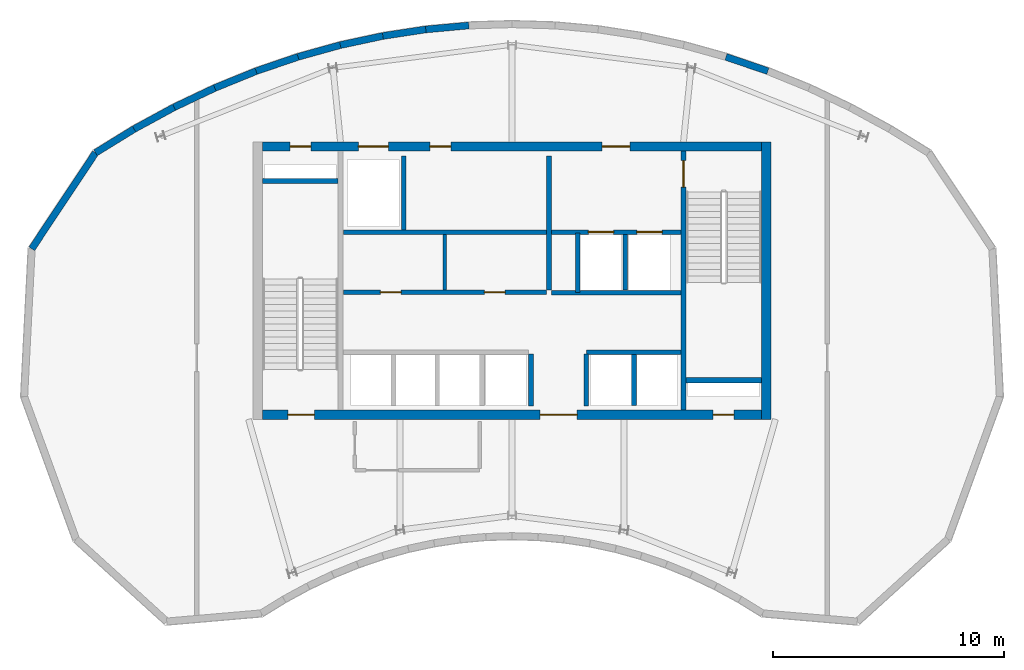
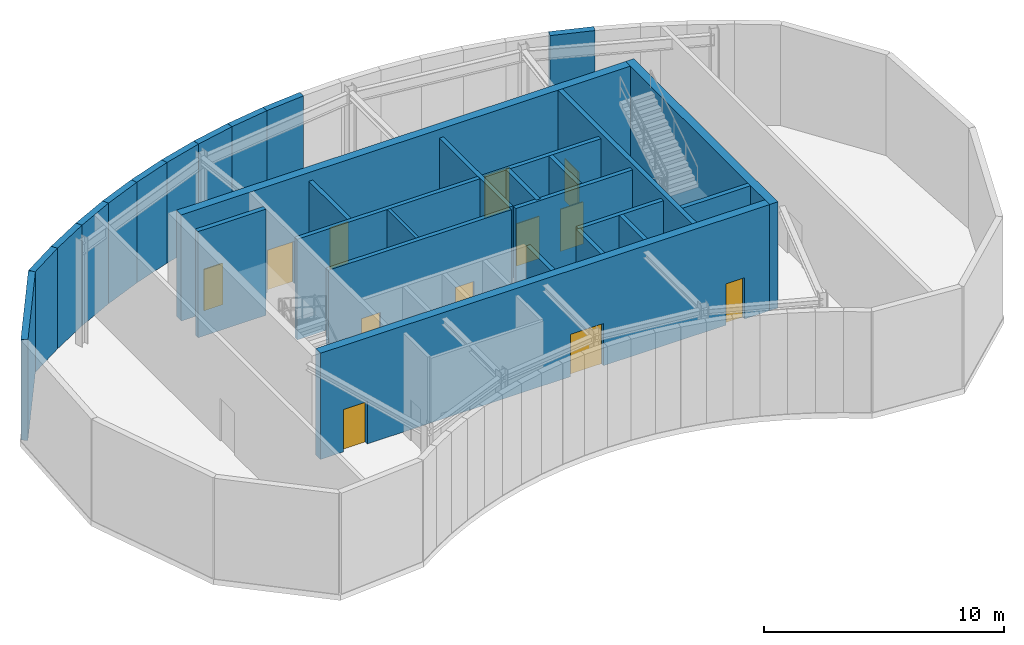
# One storey, part 3 of 5: 30 walls, 12 doors, 12 openings.
"""IFC4 building model written with IfcOpenShell, lengths in metres."""

from ifc_helpers import new_model, si_unit, direction, frame, frame_2d, origin, place, context, subcontext, project, spatial, rectangle, extrude, source, transform, mapped, material, layer, layer_set, type_object, type_shapes, element, fill, save


model = new_model("IFC4")

# Units and contexts
model_context = context("Model", 3, precision=1e-05, world=origin(), true_north=direction((0.0, 1.0)))
body_context = subcontext(model_context, "Body", "Model", "MODEL_VIEW")
ifc_project = project(units=[si_unit("LENGTHUNIT", "METRE"), si_unit("AREAUNIT", "SQUARE_METRE"), si_unit("VOLUMEUNIT", "CUBIC_METRE"), si_unit("PLANEANGLEUNIT", "RADIAN"), si_unit("MASSUNIT", "GRAM", prefix="KILO")], contexts=[model_context])

# Site, building, storey
site_placement = place(None, origin())
site = spatial("IfcSite", under=ifc_project, at=site_placement, CompositionType="ELEMENT")
building_placement = place(site_placement, origin())
building = spatial("IfcBuilding", under=site, at=building_placement, Name="Breltana Convention Tower", CompositionType="ELEMENT")
storey_placement = place(building_placement, frame((0.0, 0.0, 318.0)))
storey = spatial("IfcBuildingStorey", under=building, at=storey_placement, Name="L77", CompositionType="ELEMENT", Elevation=318.0)

# Walls
ifc_material_1 = material(Name="Concrete C50/60", Category="concrete")
ifc_layer_1 = layer(ifc_material_1, 0.39990234375, Name="Concrete C50/60")
ifc_layer_set_1 = layer_set([ifc_layer_1], Name="Concrete C50/60")
wall_type_1 = type_object("IfcWallType", Name="SW-CORE-400", PredefinedType="SHEAR", material=ifc_layer_set_1)
shared_shape_1 = source(origin(), body_context, "Body", "SweptSolid", [
    extrude(rectangle(XDim=3.27001953125, YDim=0.219970703125, at=frame_2d((1.635009765625, 0.0))), origin(), (0.0, 0.0, 1.0), 5.39990234375),
])
for number, where, z_axis, x_axis, name in (
    (1, (37.199951171875, 70.510009765625, 0.0), (0.0, 0.0, 1.0), (1.0, 0.0, 0.0), "L77 ST-1 Stairwell North Bearing Wall"),
    (2, (55.530029296875, 61.889892578125, 0.0), (0.0, 0.0, 1.0), (1.0, 0.0, 0.0), "L77 ST-2 Stairwell South Bearing Wall"),
):
    element("IfcWall", number, at=place(storey_placement, frame(where, z_axis=z_axis, x_axis=x_axis)), inside=storey, type_object=wall_type_1, Name=name, PredefinedType="SHEAR", context=body_context, shape_type="MappedRepresentation", body=[
        mapped(shared_shape_1, transform((0.0, 0.0, 0.0), scale=1.0)),
    ])
shared_shape_2 = source(origin(), body_context, "Body", "SweptSolid", [
    extrude(rectangle(XDim=12.0, YDim=0.39990234375, at=frame_2d((6.0, 0.0))), origin(), (0.0, 0.0, 1.0), 5.39990234375),
])
wall_1_placement = place(storey_placement, frame((59.0, 60.199951171875, 0.0), z_axis=(0.0, 0.0, 1.0), x_axis=(0.0, 1.0, 0.0)))
element("IfcWall", 3, at=wall_1_placement, inside=storey, type_object=wall_type_1, Name="L77 East Core Shear Wall", PredefinedType="SHEAR", context=body_context, shape_type="MappedRepresentation", body=[
    mapped(shared_shape_2, transform((0.0, 0.0, 0.0), scale=1.0)),
])

# Wall, openings, doors
shared_shape_3 = source(origin(), body_context, "Body", "SweptSolid", [
    extrude(rectangle(XDim=21.60009765625, YDim=0.39990234375, at=frame_2d((10.800048828125, 0.0))), origin(), (0.0, 0.0, 1.0), 5.39990234375),
])
wall_2_placement = place(storey_placement, frame((37.199951171875, 60.39990234375, 0.0), z_axis=(0.0, 0.0, 1.0), x_axis=(1.0, 0.0, 0.0)))
wall_2 = element("IfcWall", 4, at=wall_2_placement, inside=storey, type_object=wall_type_1, Name="L77 South Core Shear Wall", PredefinedType="SHEAR", context=body_context, shape_type="MappedRepresentation", body=[
    mapped(shared_shape_3, transform((0.0, 0.0, 0.0), scale=1.0)),
])
opening_1_placement = place(wall_2_placement, frame((1.10009765625, 0.0, 0.0)))
opening_1 = element("IfcOpeningElement", 5, at=opening_1_placement, cuts=wall_2, Name="Opening D-11", PredefinedType="OPENING", context=body_context, shape_type="SweptSolid", body=[
    extrude(rectangle(XDim=1.14990234375, YDim=2.14990234375, at=frame_2d((0.574951171875, 1.074951171875))), frame((0.0, 0.2099609375, 0.0), z_axis=(0.0, -1.0, 0.0), x_axis=(1.0, 0.0, 0.0)), (0.0, 0.0, 1.0), 0.419921875),
])
opening_2_placement = place(wall_2_placement, frame((19.5, 0.0, 0.0)))
opening_2 = element("IfcOpeningElement", 6, at=opening_2_placement, cuts=wall_2, Name="Opening D-18", PredefinedType="OPENING", context=body_context, shape_type="SweptSolid", body=[
    extrude(rectangle(XDim=0.89990234375, YDim=2.10009765625, at=frame_2d((0.449951171875, 1.050048828125))), frame((0.0, 0.2099609375, 0.0), z_axis=(0.0, -1.0, 0.0), x_axis=(1.0, 0.0, 0.0)), (0.0, 0.0, 1.0), 0.419921875),
])
opening_3_placement = place(wall_2_placement, frame((12.02001953125, 0.0, 0.0)))
opening_3 = element("IfcOpeningElement", 7, at=opening_3_placement, cuts=wall_2, Name="Opening D-02", PredefinedType="OPENING", context=body_context, shape_type="SweptSolid", body=[
    extrude(rectangle(XDim=1.60009765625, YDim=2.14990234375, at=frame_2d((0.800048828125, 1.074951171875))), frame((0.0, 0.2099609375, 0.0), z_axis=(0.0, -1.0, 0.0), x_axis=(1.0, 0.0, 0.0)), (0.0, 0.0, 1.0), 0.419921875),
])
ifc_material_2 = material(Name="Steel Stair Exit Door", Category="steel")
door_type_1 = type_object("IfcDoorType", Name="DR-FD120-1150", OperationType="NOTDEFINED", PredefinedType="DOOR", material=ifc_material_2)
shared_shape_4 = source(origin(), body_context, "Body", "SweptSolid", [
    extrude(rectangle(XDim=1.14990234375, YDim=2.14990234375, at=frame_2d((0.574951171875, 1.074951171875))), frame((0.0, 0.02490234375, 0.0), z_axis=(0.0, -1.0, 0.0), x_axis=(1.0, 0.0, 0.0)), (0.0, 0.0, 1.0), 0.050048828125),
])
type_shapes(door_type_1, [shared_shape_4])
door_1_placement = place(opening_1_placement, origin())
door_1 = element("IfcDoor", 8, at=door_1_placement, inside=storey, type_object=door_type_1, Name="L77 interior door D-L77-ST1", OperationType="SINGLE_SWING_LEFT", OverallHeight=2.14990234375, OverallWidth=1.14990234375, PredefinedType="DOOR", context=body_context, shape_type="MappedRepresentation", body=[
    mapped(shared_shape_4, transform((0.0, 0.0, 0.0), scale=1.0)),
])
fill(opening_1, door_1)
ifc_material_3 = material(Name="Steel Riser Fire Door", Category="steel")
door_type_2 = type_object("IfcDoorType", Name="DR-FD60-900", OperationType="NOTDEFINED", PredefinedType="DOOR", material=ifc_material_3)
shared_shape_5 = source(origin(), body_context, "Body", "SweptSolid", [
    extrude(rectangle(XDim=0.89990234375, YDim=2.10009765625, at=frame_2d((0.449951171875, 1.050048828125))), frame((0.0, 0.02490234375, 0.0), z_axis=(0.0, -1.0, 0.0), x_axis=(1.0, 0.0, 0.0)), (0.0, 0.0, 1.0), 0.050048828125),
])
type_shapes(door_type_2, [shared_shape_5])
door_2_placement = place(opening_2_placement, origin())
door_2 = element("IfcDoor", 9, at=door_2_placement, inside=storey, type_object=door_type_2, Name="L77 Core Riser Access Door D-L77-RS2", OperationType="SINGLE_SWING_RIGHT", OverallHeight=2.10009765625, OverallWidth=0.89990234375, PredefinedType="DOOR", context=body_context, shape_type="MappedRepresentation", body=[
    mapped(shared_shape_5, transform((0.0, 0.0, 0.0), scale=1.0)),
])
fill(opening_2, door_2)
ifc_material_4 = material(Name="Steel Glazed Smoke-Control Door", Category="steel")
door_type_3 = type_object("IfcDoorType", Name="DR-DBL-FD90-1600", OperationType="DOUBLE_DOOR_SINGLE_SWING", PredefinedType="DOOR", material=ifc_material_4)
shared_shape_6 = source(origin(), body_context, "Body", "SweptSolid", [
    extrude(rectangle(XDim=1.60009765625, YDim=2.14990234375, at=frame_2d((0.800048828125, 1.074951171875))), frame((0.0, 0.02490234375, 0.0), z_axis=(0.0, -1.0, 0.0), x_axis=(1.0, 0.0, 0.0)), (0.0, 0.0, 1.0), 0.050048828125),
])
type_shapes(door_type_3, [shared_shape_6])
door_3_placement = place(opening_3_placement, origin())
door_3 = element("IfcDoor", 10, at=door_3_placement, inside=storey, type_object=door_type_3, Name="L77 interior door D-L77-LLB-S", OperationType="DOUBLE_DOOR_SINGLE_SWING", OverallHeight=2.14990234375, OverallWidth=1.60009765625, PredefinedType="DOOR", context=body_context, shape_type="MappedRepresentation", body=[
    mapped(shared_shape_6, transform((0.0, 0.0, 0.0), scale=1.0)),
])
fill(opening_3, door_3)

wall_3_placement = place(storey_placement, frame((37.199951171875, 72.0, 0.0), z_axis=(0.0, 0.0, 1.0), x_axis=(1.0, 0.0, 0.0)))
wall_3 = element("IfcWall", 11, at=wall_3_placement, inside=storey, type_object=wall_type_1, Name="L77 North Core Shear Wall", PredefinedType="SHEAR", context=body_context, shape_type="MappedRepresentation", body=[
    mapped(shared_shape_3, transform((0.0, 0.0, 0.0), scale=1.0)),
])
opening_4_placement = place(wall_3_placement, frame((1.199951171875, 0.0, 0.0)))
opening_4 = element("IfcOpeningElement", 12, at=opening_4_placement, cuts=wall_3, Name="Opening D-18", PredefinedType="OPENING", context=body_context, shape_type="SweptSolid", body=[
    extrude(rectangle(XDim=0.89990234375, YDim=2.10009765625, at=frame_2d((0.449951171875, 1.050048828125))), frame((0.0, 0.2099609375, 0.0), z_axis=(0.0, -1.0, 0.0), x_axis=(1.0, 0.0, 0.0)), (0.0, 0.0, 1.0), 0.419921875),
])
opening_5_placement = place(wall_3_placement, frame((14.699951171875, 0.0, 0.0)))
opening_5 = element("IfcOpeningElement", 13, at=opening_5_placement, cuts=wall_3, Name="Opening D-09", PredefinedType="OPENING", context=body_context, shape_type="SweptSolid", body=[
    extrude(rectangle(XDim=1.199951171875, YDim=2.14990234375, at=frame_2d((0.60009765625, 1.074951171875))), frame((0.0, 0.2099609375, 0.0), z_axis=(0.0, -1.0, 0.0), x_axis=(1.0, 0.0, 0.0)), (0.0, 0.0, 1.0), 0.419921875),
])
opening_6_placement = place(wall_3_placement, frame((4.14990234375, 0.0, 0.0)))
opening_6 = element("IfcOpeningElement", 14, at=opening_6_placement, cuts=wall_3, Name="Opening LD-01", PredefinedType="OPENING", context=body_context, shape_type="SweptSolid", body=[
    extrude(rectangle(XDim=1.300048828125, YDim=2.14990234375, at=frame_2d((0.64990234375, 1.074951171875))), frame((0.0, 0.2099609375, 0.0), z_axis=(0.0, -1.0, 0.0), x_axis=(1.0, 0.0, 0.0)), (0.0, 0.0, 1.0), 0.419921875),
])
opening_7_placement = place(wall_3_placement, frame((7.25, 0.0, 0.0)))
opening_7 = element("IfcOpeningElement", 15, at=opening_7_placement, cuts=wall_3, Name="Opening D-18", PredefinedType="OPENING", context=body_context, shape_type="SweptSolid", body=[
    extrude(rectangle(XDim=0.89990234375, YDim=2.10009765625, at=frame_2d((0.449951171875, 1.050048828125))), frame((0.0, 0.2099609375, 0.0), z_axis=(0.0, -1.0, 0.0), x_axis=(1.0, 0.0, 0.0)), (0.0, 0.0, 1.0), 0.419921875),
])
door_4_placement = place(opening_4_placement, origin())
door_4 = element("IfcDoor", 16, at=door_4_placement, inside=storey, type_object=door_type_2, Name="L77 Core Riser Access Door D-L77-RS1", OperationType="SINGLE_SWING_LEFT", OverallHeight=2.10009765625, OverallWidth=0.89990234375, PredefinedType="DOOR", context=body_context, shape_type="MappedRepresentation", body=[
    mapped(shared_shape_5, transform((0.0, 0.0, 0.0), scale=1.0)),
])
fill(opening_4, door_4)
door_5_placement = place(opening_7_placement, origin())
door_5 = element("IfcDoor", 17, at=door_5_placement, inside=storey, type_object=door_type_2, Name="L77 interior door D-L77-CRA1", OperationType="SINGLE_SWING_LEFT", OverallHeight=2.10009765625, OverallWidth=0.89990234375, PredefinedType="DOOR", context=body_context, shape_type="MappedRepresentation", body=[
    mapped(shared_shape_5, transform((0.0, 0.0, 0.0), scale=1.0)),
])
fill(opening_7, door_5)
ifc_material_5 = material(Name="Steel Fire Lobby Door", Category="steel")
door_type_4 = type_object("IfcDoorType", Name="DR-FD120-1200", OperationType="NOTDEFINED", PredefinedType="DOOR", material=ifc_material_5)
shared_shape_7 = source(origin(), body_context, "Body", "SweptSolid", [
    extrude(rectangle(XDim=1.199951171875, YDim=2.14990234375, at=frame_2d((0.60009765625, 1.074951171875))), frame((0.0, 0.02490234375, 0.0), z_axis=(0.0, -1.0, 0.0), x_axis=(1.0, 0.0, 0.0)), (0.0, 0.0, 1.0), 0.050048828125),
])
type_shapes(door_type_4, [shared_shape_7])
door_6_placement = place(opening_5_placement, origin())
door_6 = element("IfcDoor", 18, at=door_6_placement, inside=storey, type_object=door_type_4, Name="L77 interior door D-L77-FFL-N", OperationType="SINGLE_SWING_RIGHT", OverallHeight=2.14990234375, OverallWidth=1.199951171875, PredefinedType="DOOR", context=body_context, shape_type="MappedRepresentation", body=[
    mapped(shared_shape_7, transform((0.0, 0.0, 0.0), scale=1.0)),
])
fill(opening_5, door_6)
ifc_material_6 = material(Name="Stainless Steel Brushed", Category="steel")
door_type_5 = type_object("IfcDoorType", Name="DR-LD-SRV-1300", OperationType="DOUBLE_DOOR_SLIDING", PredefinedType="DOOR", material=ifc_material_6)
shared_shape_8 = source(origin(), body_context, "Body", "SweptSolid", [
    extrude(rectangle(XDim=1.300048828125, YDim=2.14990234375, at=frame_2d((0.64990234375, 1.074951171875))), frame((0.0, 0.02490234375, 0.0), z_axis=(0.0, -1.0, 0.0), x_axis=(1.0, 0.0, 0.0)), (0.0, 0.0, 1.0), 0.050048828125),
])
type_shapes(door_type_5, [shared_shape_8])
door_7_placement = place(opening_6_placement, origin())
door_7 = element("IfcDoor", 19, at=door_7_placement, inside=storey, type_object=door_type_5, Name="L77 Lift Landing Door D-L77-LD-SV1", OperationType="DOUBLE_DOOR_SLIDING", OverallHeight=2.14990234375, OverallWidth=1.300048828125, PredefinedType="DOOR", context=body_context, shape_type="MappedRepresentation", body=[
    mapped(shared_shape_8, transform((0.0, 0.0, 0.0), scale=1.0)),
])
fill(opening_6, door_7)

# Wall, opening, door
shared_shape_9 = source(origin(), body_context, "Body", "SweptSolid", [
    extrude(rectangle(XDim=11.199951171875, YDim=0.219970703125, at=frame_2d((5.60009765625, 0.0))), origin(), (0.0, 0.0, 1.0), 5.39990234375),
])
wall_4_placement = place(storey_placement, frame((55.419921875, 60.60009765625, 0.0), z_axis=(0.0, 0.0, 1.0), x_axis=(0.0, 1.0, 0.0)))
wall_4 = element("IfcWall", 20, at=wall_4_placement, inside=storey, type_object=wall_type_1, Name="L77 Core East Stair Spine Wall", PredefinedType="SHEAR", context=body_context, shape_type="MappedRepresentation", body=[
    mapped(shared_shape_9, transform((0.0, 0.0, 0.0), scale=1.0)),
])
opening_8_placement = place(wall_4_placement, frame((9.64501953125, 0.0, 0.0)))
opening_8 = element("IfcOpeningElement", 21, at=opening_8_placement, cuts=wall_4, Name="Opening D-11", PredefinedType="OPENING", context=body_context, shape_type="SweptSolid", body=[
    extrude(rectangle(XDim=1.14990234375, YDim=2.14990234375, at=frame_2d((0.574951171875, 1.074951171875))), frame((0.0, 0.1201171875, 0.0), z_axis=(0.0, -1.0, 0.0), x_axis=(1.0, 0.0, 0.0)), (0.0, 0.0, 1.0), 0.239990234375),
])
door_8_placement = place(opening_8_placement, origin())
door_8 = element("IfcDoor", 22, at=door_8_placement, inside=storey, type_object=door_type_1, Name="L77 interior door D-L77-ST2", OperationType="SINGLE_SWING_LEFT", OverallHeight=2.14990234375, OverallWidth=1.14990234375, PredefinedType="DOOR", context=body_context, shape_type="MappedRepresentation", body=[
    mapped(shared_shape_4, transform((0.0, 0.0, 0.0), scale=1.0)),
])
fill(opening_8, door_8)

# Walls
ifc_material_7 = material(Name="Limestone Buff Insulated Wall", Category="masonry")
ifc_layer_2 = layer(ifc_material_7, 0.300048828125, Name="Limestone Buff Insulated Wall")
ifc_layer_set_2 = layer_set([ifc_layer_2], Name="Limestone Buff Insulated Wall")
wall_type_2 = type_object("IfcWallType", Name="WL-EXT-CRN-300", PredefinedType="SOLIDWALL", material=ifc_layer_set_2)
shared_shape_10 = source(origin(), body_context, "Body", "SweptSolid", [
    extrude(rectangle(XDim=4.987548828125, YDim=0.300048828125, at=frame_2d((2.49365234375, 0.0))), origin(), (0.0, 0.0, 1.0), 5.1201171875),
])
wall_5_placement = place(storey_placement, frame((27.218994140625, 67.574951171875, 0.0), z_axis=(0.0, 0.0, 1.0), x_axis=(0.553468328856, 0.832870223356, 0.0)))
element("IfcWall", 23, at=wall_5_placement, inside=storey, type_object=wall_type_2, Name="L77 mechanical limestone enclosure wall 49", PredefinedType="SOLIDWALL", context=body_context, shape_type="MappedRepresentation", body=[
    mapped(shared_shape_10, transform((0.0, 0.0, 0.0), scale=1.0)),
])
shared_shape_11 = source(origin(), body_context, "Body", "SweptSolid", [
    extrude(rectangle(XDim=1.96044921875, YDim=0.300048828125, at=frame_2d((0.980224609375, 0.0))), origin(), (0.0, 0.0, 1.0), 5.1201171875),
])
wall_6_placement = place(storey_placement, frame((29.9794921875, 71.72900390625, 0.0), z_axis=(0.0, 0.0, 1.0), x_axis=(0.85131178833, 0.524660117647, 0.0)))
element("IfcWall", 24, at=wall_6_placement, inside=storey, type_object=wall_type_2, Name="L77 mechanical limestone enclosure wall 50", PredefinedType="SOLIDWALL", context=body_context, shape_type="MappedRepresentation", body=[
    mapped(shared_shape_11, transform((0.0, 0.0, 0.0), scale=1.0)),
])
shared_shape_12 = source(origin(), body_context, "Body", "SweptSolid", [
    extrude(rectangle(XDim=1.9716796875, YDim=0.300048828125, at=frame_2d((0.98583984375, 0.0))), origin(), (0.0, 0.0, 1.0), 5.1201171875),
])
wall_7_placement = place(storey_placement, frame((31.6484375, 72.757568359375, 0.0), z_axis=(0.0, 0.0, 1.0), x_axis=(0.878387239208, 0.477949639603, 0.0)))
element("IfcWall", 25, at=wall_7_placement, inside=storey, type_object=wall_type_2, Name="L77 mechanical limestone enclosure wall 51", PredefinedType="SOLIDWALL", context=body_context, shape_type="MappedRepresentation", body=[
    mapped(shared_shape_12, transform((0.0, 0.0, 0.0), scale=1.0)),
])
shared_shape_13 = source(origin(), body_context, "Body", "SweptSolid", [
    extrude(rectangle(XDim=1.94970703125, YDim=0.300048828125, at=frame_2d((0.974853515625, 0.0))), origin(), (0.0, 0.0, 1.0), 5.1201171875),
])
wall_8_placement = place(storey_placement, frame((33.38037109375, 73.699951171875, 0.0), z_axis=(0.0, 0.0, 1.0), x_axis=(0.903429098402, 0.428737523621, 0.0)))
element("IfcWall", 26, at=wall_8_placement, inside=storey, type_object=wall_type_2, Name="L77 mechanical limestone enclosure wall 52", PredefinedType="SOLIDWALL", context=body_context, shape_type="MappedRepresentation", body=[
    mapped(shared_shape_13, transform((0.0, 0.0, 0.0), scale=1.0)),
])
shared_shape_14 = source(origin(), body_context, "Body", "SweptSolid", [
    extrude(rectangle(XDim=1.93017578125, YDim=0.300048828125, at=frame_2d((0.965087890625, 0.0))), origin(), (0.0, 0.0, 1.0), 5.1201171875),
])
wall_9_placement = place(storey_placement, frame((35.141845703125, 74.535888671875, 0.0), z_axis=(0.0, 0.0, 1.0), x_axis=(0.926200349129, 0.377031713882, 0.0)))
element("IfcWall", 27, at=wall_9_placement, inside=storey, type_object=wall_type_2, Name="L77 mechanical limestone enclosure wall 53", PredefinedType="SOLIDWALL", context=body_context, shape_type="MappedRepresentation", body=[
    mapped(shared_shape_14, transform((0.0, 0.0, 0.0), scale=1.0)),
])
shared_shape_15 = source(origin(), body_context, "Body", "SweptSolid", [
    extrude(rectangle(XDim=1.913330078125, YDim=0.300048828125, at=frame_2d((0.95654296875, 0.0))), origin(), (0.0, 0.0, 1.0), 5.1201171875),
])
for number, where, z_axis, x_axis, name in (
    (28, (36.9296875, 75.263671875, 0.0), (0.0, 0.0, 1.0), (0.946322251217, 0.323224684781, 0.0), "L77 mechanical limestone enclosure wall 54"),
    (29, (57.259765625, 75.882080078125, 0.0), (0.0, 0.0, 1.0), (0.946322251217, -0.323224684781, 0.0), "L77 mechanical limestone enclosure wall 65"),
):
    element("IfcWall", number, at=place(storey_placement, frame(where, z_axis=z_axis, x_axis=x_axis)), inside=storey, type_object=wall_type_2, Name=name, PredefinedType="SOLIDWALL", context=body_context, shape_type="MappedRepresentation", body=[
        mapped(shared_shape_15, transform((0.0, 0.0, 0.0), scale=1.0)),
    ])
shared_shape_16 = source(origin(), body_context, "Body", "SweptSolid", [
    extrude(rectangle(XDim=1.8984375, YDim=0.300048828125, at=frame_2d((0.94921875, 0.0))), origin(), (0.0, 0.0, 1.0), 5.1201171875),
])
wall_10_placement = place(storey_placement, frame((38.740234375, 75.882080078125, 0.0), z_axis=(0.0, 0.0, 1.0), x_axis=(0.963597090692, 0.267358648278, 0.0)))
element("IfcWall", 30, at=wall_10_placement, inside=storey, type_object=wall_type_2, Name="L77 mechanical limestone enclosure wall 55", PredefinedType="SOLIDWALL", context=body_context, shape_type="MappedRepresentation", body=[
    mapped(shared_shape_16, transform((0.0, 0.0, 0.0), scale=1.0)),
])
shared_shape_17 = source(origin(), body_context, "Body", "SweptSolid", [
    extrude(rectangle(XDim=1.88623046875, YDim=0.300048828125, at=frame_2d((0.943115234375, 0.0))), origin(), (0.0, 0.0, 1.0), 5.1201171875),
])
wall_11_placement = place(storey_placement, frame((40.569580078125, 76.3896484375, 0.0), z_axis=(0.0, 0.0, 1.0), x_axis=(0.977715200964, 0.209935670633, 0.0)))
element("IfcWall", 31, at=wall_11_placement, inside=storey, type_object=wall_type_2, Name="L77 mechanical limestone enclosure wall 56", PredefinedType="SOLIDWALL", context=body_context, shape_type="MappedRepresentation", body=[
    mapped(shared_shape_17, transform((0.0, 0.0, 0.0), scale=1.0)),
])
shared_shape_18 = source(origin(), body_context, "Body", "SweptSolid", [
    extrude(rectangle(XDim=1.877197265625, YDim=0.300048828125, at=frame_2d((0.9384765625, 0.0))), origin(), (0.0, 0.0, 1.0), 5.1201171875),
])
wall_12_placement = place(storey_placement, frame((42.413818359375, 76.78564453125, 0.0), z_axis=(0.0, 0.0, 1.0), x_axis=(0.988554409846, 0.150864769823, 0.0)))
element("IfcWall", 32, at=wall_12_placement, inside=storey, type_object=wall_type_2, Name="L77 mechanical limestone enclosure wall 57", PredefinedType="SOLIDWALL", context=body_context, shape_type="MappedRepresentation", body=[
    mapped(shared_shape_18, transform((0.0, 0.0, 0.0), scale=1.0)),
])
shared_shape_19 = source(origin(), body_context, "Body", "SweptSolid", [
    extrude(rectangle(XDim=1.87109375, YDim=0.300048828125, at=frame_2d((0.935546875, 0.0))), origin(), (0.0, 0.0, 1.0), 5.1201171875),
])
wall_13_placement = place(storey_placement, frame((44.26953125, 77.06884765625, 0.0), z_axis=(0.0, 0.0, 1.0), x_axis=(0.995855687337, 0.090947512326, 0.0)))
element("IfcWall", 33, at=wall_13_placement, inside=storey, type_object=wall_type_2, Name="L77 mechanical limestone enclosure wall 58", PredefinedType="SOLIDWALL", context=body_context, shape_type="MappedRepresentation", body=[
    mapped(shared_shape_19, transform((0.0, 0.0, 0.0), scale=1.0)),
])
ifc_material_8 = material(Name="Autoclaved Aerated Concrete Block", Category="concrete")
ifc_layer_3 = layer(ifc_material_8, 0.199951171875, Name="Autoclaved Aerated Concrete Block")
ifc_layer_set_3 = layer_set([ifc_layer_3], Name="Autoclaved Aerated Concrete Block")
wall_type_3 = type_object("IfcWallType", Name="WL-SHAFT-200", PredefinedType="SOLIDWALL", material=ifc_layer_set_3)
shared_shape_20 = source(origin(), body_context, "Body", "SweptSolid", [
    extrude(rectangle(XDim=2.239990234375, YDim=0.199951171875, at=frame_2d((1.1201171875, 0.0))), origin(), (0.0, 0.0, 1.0), 5.1201171875),
])
for number, where, z_axis, x_axis, name in (
    (34, (48.820068359375, 60.780029296875, 0.0), (0.0, 0.0, 1.0), (0.0, 1.0, 0.0), "L77 interior partition W-L77-PORT-W"),
    (35, (51.219970703125, 60.780029296875, 0.0), (0.0, 0.0, 1.0), (0.0, 1.0, 0.0), "L77 interior partition W-L77-PORT-E"),
):
    element("IfcWall", number, at=place(storey_placement, frame(where, z_axis=z_axis, x_axis=x_axis)), inside=storey, type_object=wall_type_3, Name=name, PredefinedType="SOLIDWALL", context=body_context, shape_type="MappedRepresentation", body=[
        mapped(shared_shape_20, transform((0.0, 0.0, 0.0), scale=1.0)),
    ])

# Wall, openings, doors
shared_shape_21 = source(origin(), body_context, "Body", "SweptSolid", [
    extrude(rectangle(XDim=5.6201171875, YDim=0.199951171875, at=frame_2d((2.81005859375, 0.0))), origin(), (0.0, 0.0, 1.0), 5.1201171875),
])
wall_14_placement = place(storey_placement, frame((49.699951171875, 68.300048828125, 0.0), z_axis=(0.0, 0.0, 1.0), x_axis=(1.0, 0.0, 0.0)))
wall_14 = element("IfcWall", 36, at=wall_14_placement, inside=storey, type_object=wall_type_3, Name="L77 interior partition W-L77-FFL-S", PredefinedType="SOLIDWALL", context=body_context, shape_type="MappedRepresentation", body=[
    mapped(shared_shape_21, transform((0.0, 0.0, 0.0), scale=1.0)),
])
opening_9_placement = place(wall_14_placement, frame((1.60009765625, 0.0, 0.0)))
opening_9 = element("IfcOpeningElement", 37, at=opening_9_placement, cuts=wall_14, Name="Opening LD-03", PredefinedType="OPENING", context=body_context, shape_type="SweptSolid", body=[
    extrude(rectangle(XDim=1.10009765625, YDim=2.14990234375, at=frame_2d((0.550048828125, 1.074951171875))), frame((0.0, 0.10986328125, 0.0), z_axis=(0.0, -1.0, 0.0), x_axis=(1.0, 0.0, 0.0)), (0.0, 0.0, 1.0), 0.219970703125),
])
opening_10_placement = place(wall_14_placement, frame((3.699951171875, 0.0, 0.0)))
opening_10 = element("IfcOpeningElement", 38, at=opening_10_placement, cuts=wall_14, Name="Opening LD-03", PredefinedType="OPENING", context=body_context, shape_type="SweptSolid", body=[
    extrude(rectangle(XDim=1.10009765625, YDim=2.14990234375, at=frame_2d((0.550048828125, 1.074951171875))), frame((0.0, 0.10986328125, 0.0), z_axis=(0.0, -1.0, 0.0), x_axis=(1.0, 0.0, 0.0)), (0.0, 0.0, 1.0), 0.219970703125),
])
door_type_6 = type_object("IfcDoorType", Name="DR-LD-FF-1100", OperationType="DOUBLE_DOOR_SLIDING", PredefinedType="DOOR", material=ifc_material_6)
shared_shape_22 = source(origin(), body_context, "Body", "SweptSolid", [
    extrude(rectangle(XDim=1.10009765625, YDim=2.14990234375, at=frame_2d((0.550048828125, 1.074951171875))), frame((0.0, 0.02490234375, 0.0), z_axis=(0.0, -1.0, 0.0), x_axis=(1.0, 0.0, 0.0)), (0.0, 0.0, 1.0), 0.050048828125),
])
type_shapes(door_type_6, [shared_shape_22])
door_9_placement = place(opening_9_placement, origin())
door_9 = element("IfcDoor", 39, at=door_9_placement, inside=storey, type_object=door_type_6, Name="L77 Lift Landing Door D-L77-LD-FL1", OperationType="DOUBLE_DOOR_SLIDING", OverallHeight=2.14990234375, OverallWidth=1.10009765625, PredefinedType="DOOR", context=body_context, shape_type="MappedRepresentation", body=[
    mapped(shared_shape_22, transform((0.0, 0.0, 0.0), scale=1.0)),
])
fill(opening_9, door_9)
door_10_placement = place(opening_10_placement, origin())
door_10 = element("IfcDoor", 40, at=door_10_placement, inside=storey, type_object=door_type_6, Name="L77 Lift Landing Door D-L77-LD-FL2", OperationType="DOUBLE_DOOR_SLIDING", OverallHeight=2.14990234375, OverallWidth=1.10009765625, PredefinedType="DOOR", context=body_context, shape_type="MappedRepresentation", body=[
    mapped(shared_shape_22, transform((0.0, 0.0, 0.0), scale=1.0)),
])
fill(opening_10, door_10)

# Walls
wall_15_placement = place(storey_placement, frame((49.699951171875, 65.679931640625, 0.0), z_axis=(0.0, 0.0, 1.0), x_axis=(1.0, 0.0, 0.0)))
element("IfcWall", 41, at=wall_15_placement, inside=storey, type_object=wall_type_3, Name="L77 interior partition W-L77-FL-S", PredefinedType="SOLIDWALL", context=body_context, shape_type="MappedRepresentation", body=[
    mapped(shared_shape_21, transform((0.0, 0.0, 0.0), scale=1.0)),
])
shared_shape_23 = source(origin(), body_context, "Body", "SweptSolid", [
    extrude(rectangle(XDim=5.800048828125, YDim=0.199951171875, at=frame_2d((2.89990234375, 0.0))), origin(), (0.0, 0.0, 1.0), 5.1201171875),
])
wall_16_placement = place(storey_placement, frame((49.60009765625, 65.800048828125, 0.0), z_axis=(0.0, 0.0, 1.0), x_axis=(0.0, 1.0, 0.0)))
element("IfcWall", 42, at=wall_16_placement, inside=storey, type_object=wall_type_3, Name="L77 interior partition W-L77-FFL-W", PredefinedType="SOLIDWALL", context=body_context, shape_type="MappedRepresentation", body=[
    mapped(shared_shape_23, transform((0.0, 0.0, 0.0), scale=1.0)),
])
shared_shape_24 = source(origin(), body_context, "Body", "SweptSolid", [
    extrude(rectangle(XDim=2.580078125, YDim=0.199951171875, at=frame_2d((1.2900390625, 0.0))), origin(), (0.0, 0.0, 1.0), 5.1201171875),
])
wall_17_placement = place(storey_placement, frame((50.85009765625, 65.679931640625, 0.0), z_axis=(0.0, 0.0, 1.0), x_axis=(0.0, 1.0, 0.0)))
element("IfcWall", 43, at=wall_17_placement, inside=storey, type_object=wall_type_3, Name="L77 interior partition W-L77-FL-W", PredefinedType="SOLIDWALL", context=body_context, shape_type="MappedRepresentation", body=[
    mapped(shared_shape_24, transform((0.0, 0.0, 0.0), scale=1.0)),
])
shared_shape_25 = source(origin(), body_context, "Body", "SweptSolid", [
    extrude(rectangle(XDim=2.39990234375, YDim=0.199951171875, at=frame_2d((1.199951171875, 0.0))), origin(), (0.0, 0.0, 1.0), 5.1201171875),
])
wall_18_placement = place(storey_placement, frame((52.89990234375, 65.800048828125, 0.0), z_axis=(0.0, 0.0, 1.0), x_axis=(0.0, 1.0, 0.0)))
element("IfcWall", 44, at=wall_18_placement, inside=storey, type_object=wall_type_3, Name="L77 interior partition W-L77-FL-DIV", PredefinedType="SOLIDWALL", context=body_context, shape_type="MappedRepresentation", body=[
    mapped(shared_shape_25, transform((0.0, 0.0, 0.0), scale=1.0)),
])
shared_shape_26 = source(origin(), body_context, "Body", "SweptSolid", [
    extrude(rectangle(XDim=3.2001953125, YDim=0.199951171875, at=frame_2d((1.60009765625, 0.0))), origin(), (0.0, 0.0, 1.0), 5.1201171875),
])
wall_19_placement = place(storey_placement, frame((43.320068359375, 68.39990234375, 0.0), z_axis=(0.0, 0.0, 1.0), x_axis=(0.0, 1.0, 0.0)))
element("IfcWall", 45, at=wall_19_placement, inside=storey, type_object=wall_type_3, Name="L77 interior partition W-L77-SV-E", PredefinedType="SOLIDWALL", context=body_context, shape_type="MappedRepresentation", body=[
    mapped(shared_shape_26, transform((0.0, 0.0, 0.0), scale=1.0)),
])
shared_shape_27 = source(origin(), body_context, "Body", "SweptSolid", [
    extrude(rectangle(XDim=8.800048828125, YDim=0.199951171875, at=frame_2d((4.39990234375, 0.0))), origin(), (0.0, 0.0, 1.0), 5.1201171875),
])
wall_20_placement = place(storey_placement, frame((40.699951171875, 68.300048828125, 0.0), z_axis=(0.0, 0.0, 1.0), x_axis=(1.0, 0.0, 0.0)))
element("IfcWall", 46, at=wall_20_placement, inside=storey, type_object=wall_type_3, Name="L77 interior partition W-L77-SV-S", PredefinedType="SOLIDWALL", context=body_context, shape_type="MappedRepresentation", body=[
    mapped(shared_shape_27, transform((0.0, 0.0, 0.0), scale=1.0)),
])

# Wall, openings, doors
wall_21_placement = place(storey_placement, frame((40.699951171875, 65.699951171875, 0.0), z_axis=(0.0, 0.0, 1.0), x_axis=(1.0, 0.0, 0.0)))
wall_21 = element("IfcWall", 47, at=wall_21_placement, inside=storey, type_object=wall_type_3, Name="L77 interior partition W-L77-SH-M-FRONT", PredefinedType="SOLIDWALL", context=body_context, shape_type="MappedRepresentation", body=[
    mapped(shared_shape_27, transform((0.0, 0.0, 0.0), scale=1.0)),
])
opening_11_placement = place(wall_21_placement, frame((1.60009765625, 0.0, 0.0)))
opening_11 = element("IfcOpeningElement", 48, at=opening_11_placement, cuts=wall_21, Name="Opening D-18", PredefinedType="OPENING", context=body_context, shape_type="SweptSolid", body=[
    extrude(rectangle(XDim=0.89990234375, YDim=2.10009765625, at=frame_2d((0.449951171875, 1.050048828125))), frame((0.0, 0.10986328125, 0.0), z_axis=(0.0, -1.0, 0.0), x_axis=(1.0, 0.0, 0.0)), (0.0, 0.0, 1.0), 0.219970703125),
])
opening_12_placement = place(wall_21_placement, frame((6.10009765625, 0.0, 0.0)))
opening_12 = element("IfcOpeningElement", 49, at=opening_12_placement, cuts=wall_21, Name="Opening D-18", PredefinedType="OPENING", context=body_context, shape_type="SweptSolid", body=[
    extrude(rectangle(XDim=0.89990234375, YDim=2.10009765625, at=frame_2d((0.449951171875, 1.050048828125))), frame((0.0, 0.10986328125, 0.0), z_axis=(0.0, -1.0, 0.0), x_axis=(1.0, 0.0, 0.0)), (0.0, 0.0, 1.0), 0.219970703125),
])
door_11_placement = place(opening_11_placement, origin())
door_11 = element("IfcDoor", 50, at=door_11_placement, inside=storey, type_object=door_type_2, Name="L77 interior door D-L77-LV7-B2A", OperationType="SINGLE_SWING_RIGHT", OverallHeight=2.10009765625, OverallWidth=0.89990234375, PredefinedType="DOOR", context=body_context, shape_type="MappedRepresentation", body=[
    mapped(shared_shape_5, transform((0.0, 0.0, 0.0), scale=1.0)),
])
fill(opening_11, door_11)
door_12_placement = place(opening_12_placement, origin())
door_12 = element("IfcDoor", 51, at=door_12_placement, inside=storey, type_object=door_type_2, Name="L77 interior door D-L77-LV7-B2B", OperationType="SINGLE_SWING_LEFT", OverallHeight=2.10009765625, OverallWidth=0.89990234375, PredefinedType="DOOR", context=body_context, shape_type="MappedRepresentation", body=[
    mapped(shared_shape_5, transform((0.0, 0.0, 0.0), scale=1.0)),
])
fill(opening_12, door_12)

# Walls
shared_shape_28 = source(origin(), body_context, "Body", "SweptSolid", [
    extrude(rectangle(XDim=4.10009765625, YDim=0.199951171875, at=frame_2d((2.050048828125, 0.0))), origin(), (0.0, 0.0, 1.0), 5.1201171875),
])
wall_22_placement = place(storey_placement, frame((51.219970703125, 63.10009765625, 0.0), z_axis=(0.0, 0.0, 1.0), x_axis=(1.0, 0.0, 0.0)))
element("IfcWall", 52, at=wall_22_placement, inside=storey, type_object=wall_type_3, Name="L77 interior partition W-L77-SH-X-FRONT", PredefinedType="SOLIDWALL", context=body_context, shape_type="MappedRepresentation", body=[
    mapped(shared_shape_28, transform((0.0, 0.0, 0.0), scale=1.0)),
])
shared_shape_29 = source(origin(), body_context, "Body", "SweptSolid", [
    extrude(rectangle(XDim=2.199951171875, YDim=0.199951171875, at=frame_2d((1.10009765625, 0.0))), origin(), (0.0, 0.0, 1.0), 5.1201171875),
])
wall_23_placement = place(storey_placement, frame((53.280029296875, 60.800048828125, 0.0), z_axis=(0.0, 0.0, 1.0), x_axis=(0.0, 1.0, 0.0)))
element("IfcWall", 53, at=wall_23_placement, inside=storey, type_object=wall_type_3, Name="L77 interior partition W-L77-SH-X-DIV", PredefinedType="SOLIDWALL", context=body_context, shape_type="MappedRepresentation", body=[
    mapped(shared_shape_29, transform((0.0, 0.0, 0.0), scale=1.0)),
])
ifc_material_9 = material(Name="Gypsum Acoustic Drywall Partition")
ifc_layer_4 = layer(ifc_material_9, 0.14990234375, Name="Gypsum Acoustic Drywall Partition")
ifc_layer_set_4 = layer_set([ifc_layer_4], Name="Gypsum Acoustic Drywall Partition")
wall_type_4 = type_object("IfcWallType", Name="WL-PART-150", PredefinedType="PARTITIONING", material=ifc_layer_set_4)
shared_shape_30 = source(origin(), body_context, "Body", "SweptSolid", [
    extrude(rectangle(XDim=2.39990234375, YDim=0.14990234375, at=frame_2d((1.199951171875, 0.0))), origin(), (0.0, 0.0, 1.0), 5.1201171875),
])
wall_24_placement = place(storey_placement, frame((45.10009765625, 65.800048828125, 0.0), z_axis=(0.0, 0.0, 1.0), x_axis=(0.0, 1.0, 0.0)))
element("IfcWall", 54, at=wall_24_placement, inside=storey, type_object=wall_type_4, Name="L77 interior partition W-L77-LV7-B2-DIV", PredefinedType="PARTITIONING", context=body_context, shape_type="MappedRepresentation", body=[
    mapped(shared_shape_30, transform((0.0, 0.0, 0.0), scale=1.0)),
])

save(model, "model.ifc")
